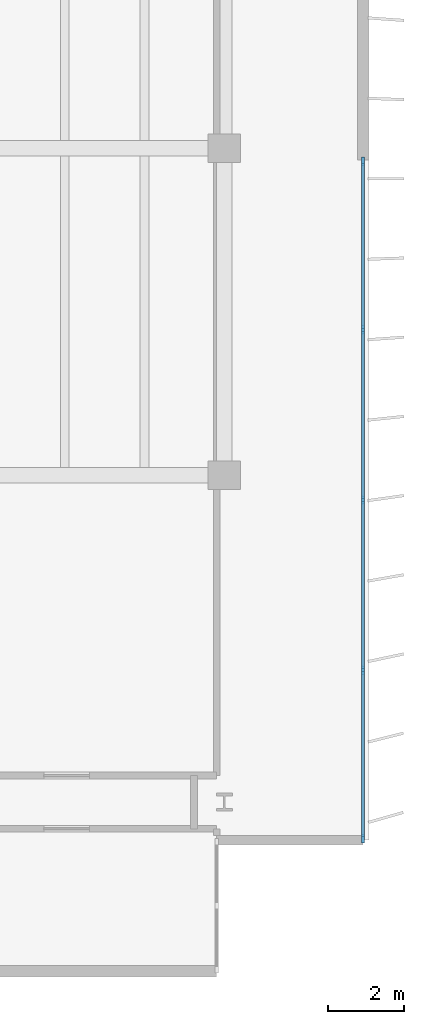
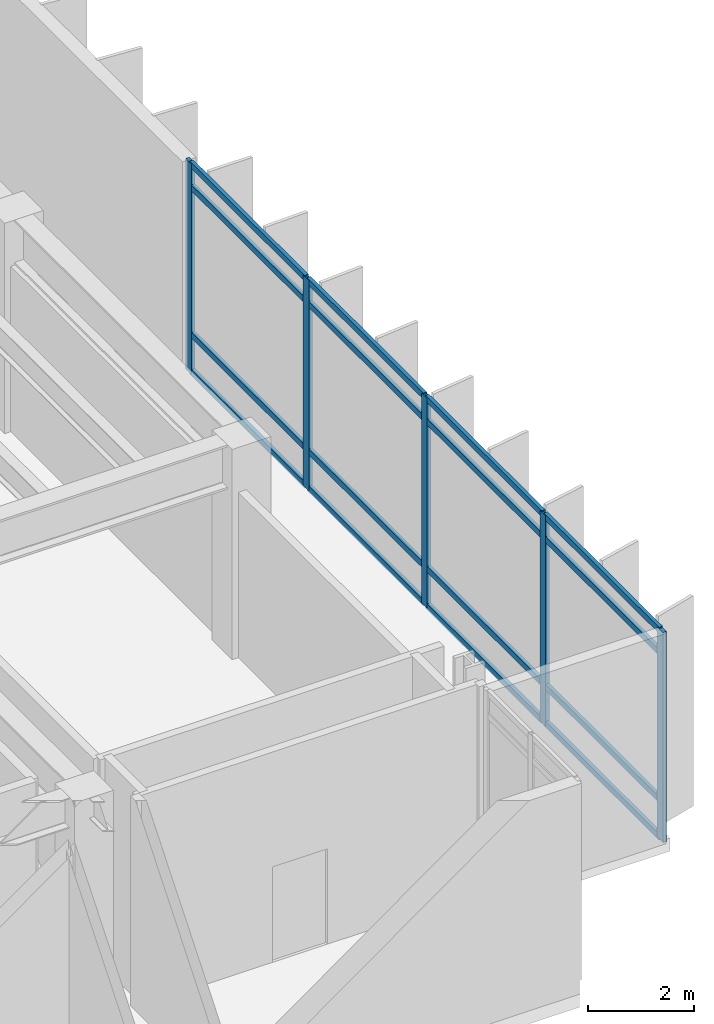
# One storey, part 10 of 23: 21 members, 1 element without a shape of its own.
"""IFC4 building model written with IfcOpenShell, lengths in metres."""

from ifc_helpers import new_model, si_unit, direction, frame, origin, origin_2d, place, context, subcontext, project, spatial, rectangle, extrude, material, layer, layer_set, material_profile, profile_set, type_object, element, aggregate, save


model = new_model("IFC4")

# Units and contexts
model_context = context("Model", 3, precision=1e-05, world=origin(), true_north=direction((0.0, 1.0)))
body_context = subcontext(model_context, "Body", "Model", "MODEL_VIEW")
ifc_project = project(units=[si_unit("LENGTHUNIT", "METRE"), si_unit("AREAUNIT", "SQUARE_METRE"), si_unit("VOLUMEUNIT", "CUBIC_METRE"), si_unit("PLANEANGLEUNIT", "RADIAN"), si_unit("MASSUNIT", "GRAM", prefix="KILO")], contexts=[model_context])

# Site, building, storey
site_placement = place(None, origin())
site = spatial("IfcSite", under=ifc_project, at=site_placement, CompositionType="ELEMENT")
building_placement = place(site_placement, origin())
building = spatial("IfcBuilding", under=site, at=building_placement, Name="Caelmar Bay Residences", CompositionType="ELEMENT")
storey_placement = place(building_placement, frame((0.0, 0.0, 221.39990234375)))
storey = spatial("IfcBuildingStorey", under=building, at=storey_placement, Name="L62", CompositionType="ELEMENT", Elevation=221.39990234375)

# Curtain wall, members
ifc_material_1 = material(Name="Anodised bronze aluminium 6063-T6 and laminated glass", Category="aluminium")
ifc_layer = layer(ifc_material_1, 0.179931640625)
ifc_layer_set = layer_set([ifc_layer], Name="Anodised bronze aluminium 6063-T6 and laminated glass")
curtain_wall_type = type_object("IfcCurtainWallType", Name="CW4-Z3", PredefinedType="NOTDEFINED", material=ifc_layer_set)
curtain_wall_placement = place(storey_placement, origin())
curtain_wall = element("IfcCurtainWall", 1, at=curtain_wall_placement, inside=storey, type_object=curtain_wall_type, Name="CW4 curtain wall L62", PredefinedType="NOTDEFINED")
ifc_material_2 = material(Name="Anodised bronze aluminium 6063-T6", Category="aluminium")
ifc_material_profile_1 = material_profile(ifc_material_2, rectangle(XDim=0.080078125, YDim=0.219970703125, at=origin_2d()), Name="CWM-80X220")
ifc_profile_set_1 = profile_set([ifc_material_profile_1], Name="Anodised bronze aluminium 6063-T6")
member_type_1 = type_object("IfcMemberType", Name="CWM-220", PredefinedType="MULLION", material=ifc_profile_set_1)
member_1_placement = place(storey_placement, frame((71.550048828125, 29.06005859375, 0.0), z_axis=(0.0, 0.0, 1.0), x_axis=(1.0, 0.0, 0.0)))
member_1 = element("IfcMember", 2, at=member_1_placement, type_object=member_type_1, Name="CW4 mullion 1", PredefinedType="MULLION", context=body_context, shape_type="SweptSolid", body=[
    extrude(rectangle(XDim=0.080078125, YDim=0.219970703125, at=origin_2d()), origin(), (0.0, 0.0, 1.0), 4.85009765625),
])
member_2_placement = place(storey_placement, frame((71.550048828125, 24.625, 0.0), z_axis=(0.0, 0.0, 1.0), x_axis=(1.0, 0.0, 0.0)))
member_2 = element("IfcMember", 3, at=member_2_placement, type_object=member_type_1, Name="CW4 mullion 2", PredefinedType="MULLION", context=body_context, shape_type="SweptSolid", body=[
    extrude(rectangle(XDim=0.080078125, YDim=0.219970703125, at=origin_2d()), origin(), (0.0, 0.0, 1.0), 4.85009765625),
])
member_3_placement = place(storey_placement, frame((71.550048828125, 20.14990234375, 0.0), z_axis=(0.0, 0.0, 1.0), x_axis=(1.0, 0.0, 0.0)))
member_3 = element("IfcMember", 4, at=member_3_placement, type_object=member_type_1, Name="CW4 mullion 3", PredefinedType="MULLION", context=body_context, shape_type="SweptSolid", body=[
    extrude(rectangle(XDim=0.080078125, YDim=0.219970703125, at=origin_2d()), origin(), (0.0, 0.0, 1.0), 4.85009765625),
])
member_4_placement = place(storey_placement, frame((71.550048828125, 15.675048828125, 0.0), z_axis=(0.0, 0.0, 1.0), x_axis=(1.0, 0.0, 0.0)))
member_4 = element("IfcMember", 5, at=member_4_placement, type_object=member_type_1, Name="CW4 mullion 4", PredefinedType="MULLION", context=body_context, shape_type="SweptSolid", body=[
    extrude(rectangle(XDim=0.080078125, YDim=0.219970703125, at=origin_2d()), origin(), (0.0, 0.0, 1.0), 4.85009765625),
])
member_5_placement = place(storey_placement, frame((71.550048828125, 11.239990234375, 0.0), z_axis=(0.0, 0.0, 1.0), x_axis=(1.0, 0.0, 0.0)))
member_5 = element("IfcMember", 6, at=member_5_placement, type_object=member_type_1, Name="CW4 mullion 5", PredefinedType="MULLION", context=body_context, shape_type="SweptSolid", body=[
    extrude(rectangle(XDim=0.080078125, YDim=0.219970703125, at=origin_2d()), origin(), (0.0, 0.0, 1.0), 4.85009765625),
])
ifc_material_profile_2 = material_profile(ifc_material_2, rectangle(XDim=0.080078125, YDim=0.139892578125, at=origin_2d()), Name="CWT-80X140")
ifc_profile_set_2 = profile_set([ifc_material_profile_2], Name="Anodised bronze aluminium 6063-T6")
member_type_2 = type_object("IfcMemberType", Name="CWT-140", PredefinedType="NOTDEFINED", material=ifc_profile_set_2)
member_6_placement = place(storey_placement, frame((71.550048828125, 29.02001953125, 0.0400390625), z_axis=(0.0, -1.0, 0.0), x_axis=(1.0, 0.0, 0.0)))
member_6 = element("IfcMember", 7, at=member_6_placement, type_object=member_type_2, Name="CW4 transom 1.1", ObjectType="TRANSOM", PredefinedType="USERDEFINED", context=body_context, shape_type="SweptSolid", body=[
    extrude(rectangle(XDim=0.080078125, YDim=0.139892578125, at=origin_2d()), origin(), (0.0, 0.0, 1.0), 4.35498046875),
])
member_7_placement = place(storey_placement, frame((71.550048828125, 29.02001953125, 0.900146484375), z_axis=(0.0, -1.0, 0.0), x_axis=(1.0, 0.0, 0.0)))
member_7 = element("IfcMember", 8, at=member_7_placement, type_object=member_type_2, Name="CW4 transom 1.2", ObjectType="TRANSOM", PredefinedType="USERDEFINED", context=body_context, shape_type="SweptSolid", body=[
    extrude(rectangle(XDim=0.080078125, YDim=0.139892578125, at=origin_2d()), origin(), (0.0, 0.0, 1.0), 4.35498046875),
])
member_8_placement = place(storey_placement, frame((71.550048828125, 29.02001953125, 4.300048828125), z_axis=(0.0, -1.0, 0.0), x_axis=(1.0, 0.0, 0.0)))
member_8 = element("IfcMember", 9, at=member_8_placement, type_object=member_type_2, Name="CW4 transom 1.3", ObjectType="TRANSOM", PredefinedType="USERDEFINED", context=body_context, shape_type="SweptSolid", body=[
    extrude(rectangle(XDim=0.080078125, YDim=0.139892578125, at=origin_2d()), origin(), (0.0, 0.0, 1.0), 4.35498046875),
])
member_9_placement = place(storey_placement, frame((71.550048828125, 29.02001953125, 4.81005859375), z_axis=(0.0, -1.0, 0.0), x_axis=(1.0, 0.0, 0.0)))
member_9 = element("IfcMember", 10, at=member_9_placement, type_object=member_type_2, Name="CW4 transom 1.4", ObjectType="TRANSOM", PredefinedType="USERDEFINED", context=body_context, shape_type="SweptSolid", body=[
    extrude(rectangle(XDim=0.080078125, YDim=0.139892578125, at=origin_2d()), origin(), (0.0, 0.0, 1.0), 4.35498046875),
])
member_10_placement = place(storey_placement, frame((71.550048828125, 24.5849609375, 0.0400390625), z_axis=(0.0, -1.0, 0.0), x_axis=(1.0, 0.0, 0.0)))
member_10 = element("IfcMember", 11, at=member_10_placement, type_object=member_type_2, Name="CW4 transom 2.1", ObjectType="TRANSOM", PredefinedType="USERDEFINED", context=body_context, shape_type="SweptSolid", body=[
    extrude(rectangle(XDim=0.080078125, YDim=0.139892578125, at=origin_2d()), origin(), (0.0, 0.0, 1.0), 4.39501953125),
])
member_11_placement = place(storey_placement, frame((71.550048828125, 24.5849609375, 0.900146484375), z_axis=(0.0, -1.0, 0.0), x_axis=(1.0, 0.0, 0.0)))
member_11 = element("IfcMember", 12, at=member_11_placement, type_object=member_type_2, Name="CW4 transom 2.2", ObjectType="TRANSOM", PredefinedType="USERDEFINED", context=body_context, shape_type="SweptSolid", body=[
    extrude(rectangle(XDim=0.080078125, YDim=0.139892578125, at=origin_2d()), origin(), (0.0, 0.0, 1.0), 4.39501953125),
])
member_12_placement = place(storey_placement, frame((71.550048828125, 24.5849609375, 4.300048828125), z_axis=(0.0, -1.0, 0.0), x_axis=(1.0, 0.0, 0.0)))
member_12 = element("IfcMember", 13, at=member_12_placement, type_object=member_type_2, Name="CW4 transom 2.3", ObjectType="TRANSOM", PredefinedType="USERDEFINED", context=body_context, shape_type="SweptSolid", body=[
    extrude(rectangle(XDim=0.080078125, YDim=0.139892578125, at=origin_2d()), origin(), (0.0, 0.0, 1.0), 4.39501953125),
])
member_13_placement = place(storey_placement, frame((71.550048828125, 24.5849609375, 4.81005859375), z_axis=(0.0, -1.0, 0.0), x_axis=(1.0, 0.0, 0.0)))
member_13 = element("IfcMember", 14, at=member_13_placement, type_object=member_type_2, Name="CW4 transom 2.4", ObjectType="TRANSOM", PredefinedType="USERDEFINED", context=body_context, shape_type="SweptSolid", body=[
    extrude(rectangle(XDim=0.080078125, YDim=0.139892578125, at=origin_2d()), origin(), (0.0, 0.0, 1.0), 4.39501953125),
])
member_14_placement = place(storey_placement, frame((71.550048828125, 20.110107421875, 0.0400390625), z_axis=(0.0, -1.0, 0.0), x_axis=(1.0, 0.0, 0.0)))
member_14 = element("IfcMember", 15, at=member_14_placement, type_object=member_type_2, Name="CW4 transom 3.1", ObjectType="TRANSOM", PredefinedType="USERDEFINED", context=body_context, shape_type="SweptSolid", body=[
    extrude(rectangle(XDim=0.080078125, YDim=0.139892578125, at=origin_2d()), origin(), (0.0, 0.0, 1.0), 4.39501953125),
])
member_15_placement = place(storey_placement, frame((71.550048828125, 20.110107421875, 0.900146484375), z_axis=(0.0, -1.0, 0.0), x_axis=(1.0, 0.0, 0.0)))
member_15 = element("IfcMember", 16, at=member_15_placement, type_object=member_type_2, Name="CW4 transom 3.2", ObjectType="TRANSOM", PredefinedType="USERDEFINED", context=body_context, shape_type="SweptSolid", body=[
    extrude(rectangle(XDim=0.080078125, YDim=0.139892578125, at=origin_2d()), origin(), (0.0, 0.0, 1.0), 4.39501953125),
])
member_16_placement = place(storey_placement, frame((71.550048828125, 20.110107421875, 4.300048828125), z_axis=(0.0, -1.0, 0.0), x_axis=(1.0, 0.0, 0.0)))
member_16 = element("IfcMember", 17, at=member_16_placement, type_object=member_type_2, Name="CW4 transom 3.3", ObjectType="TRANSOM", PredefinedType="USERDEFINED", context=body_context, shape_type="SweptSolid", body=[
    extrude(rectangle(XDim=0.080078125, YDim=0.139892578125, at=origin_2d()), origin(), (0.0, 0.0, 1.0), 4.39501953125),
])
member_17_placement = place(storey_placement, frame((71.550048828125, 20.110107421875, 4.81005859375), z_axis=(0.0, -1.0, 0.0), x_axis=(1.0, 0.0, 0.0)))
member_17 = element("IfcMember", 18, at=member_17_placement, type_object=member_type_2, Name="CW4 transom 3.4", ObjectType="TRANSOM", PredefinedType="USERDEFINED", context=body_context, shape_type="SweptSolid", body=[
    extrude(rectangle(XDim=0.080078125, YDim=0.139892578125, at=origin_2d()), origin(), (0.0, 0.0, 1.0), 4.39501953125),
])
member_18_placement = place(storey_placement, frame((71.550048828125, 15.635009765625, 0.0400390625), z_axis=(0.0, -1.0, 0.0), x_axis=(1.0, 0.0, 0.0)))
member_18 = element("IfcMember", 19, at=member_18_placement, type_object=member_type_2, Name="CW4 transom 4.1", ObjectType="TRANSOM", PredefinedType="USERDEFINED", context=body_context, shape_type="SweptSolid", body=[
    extrude(rectangle(XDim=0.080078125, YDim=0.139892578125, at=origin_2d()), origin(), (0.0, 0.0, 1.0), 4.35498046875),
])
member_19_placement = place(storey_placement, frame((71.550048828125, 15.635009765625, 0.900146484375), z_axis=(0.0, -1.0, 0.0), x_axis=(1.0, 0.0, 0.0)))
member_19 = element("IfcMember", 20, at=member_19_placement, type_object=member_type_2, Name="CW4 transom 4.2", ObjectType="TRANSOM", PredefinedType="USERDEFINED", context=body_context, shape_type="SweptSolid", body=[
    extrude(rectangle(XDim=0.080078125, YDim=0.139892578125, at=origin_2d()), origin(), (0.0, 0.0, 1.0), 4.35498046875),
])
member_20_placement = place(storey_placement, frame((71.550048828125, 15.635009765625, 4.300048828125), z_axis=(0.0, -1.0, 0.0), x_axis=(1.0, 0.0, 0.0)))
member_20 = element("IfcMember", 21, at=member_20_placement, type_object=member_type_2, Name="CW4 transom 4.3", ObjectType="TRANSOM", PredefinedType="USERDEFINED", context=body_context, shape_type="SweptSolid", body=[
    extrude(rectangle(XDim=0.080078125, YDim=0.139892578125, at=origin_2d()), origin(), (0.0, 0.0, 1.0), 4.35498046875),
])
member_21_placement = place(storey_placement, frame((71.550048828125, 15.635009765625, 4.81005859375), z_axis=(0.0, -1.0, 0.0), x_axis=(1.0, 0.0, 0.0)))
member_21 = element("IfcMember", 22, at=member_21_placement, type_object=member_type_2, Name="CW4 transom 4.4", ObjectType="TRANSOM", PredefinedType="USERDEFINED", context=body_context, shape_type="SweptSolid", body=[
    extrude(rectangle(XDim=0.080078125, YDim=0.139892578125, at=origin_2d()), origin(), (0.0, 0.0, 1.0), 4.35498046875),
])
aggregate(curtain_wall, [member_1, member_2, member_3, member_4, member_5, member_6, member_7, member_8, member_9, member_10, member_11, member_12, member_13, member_14, member_15, member_16, member_17, member_18, member_19, member_20, member_21])

save(model, "model.ifc")
